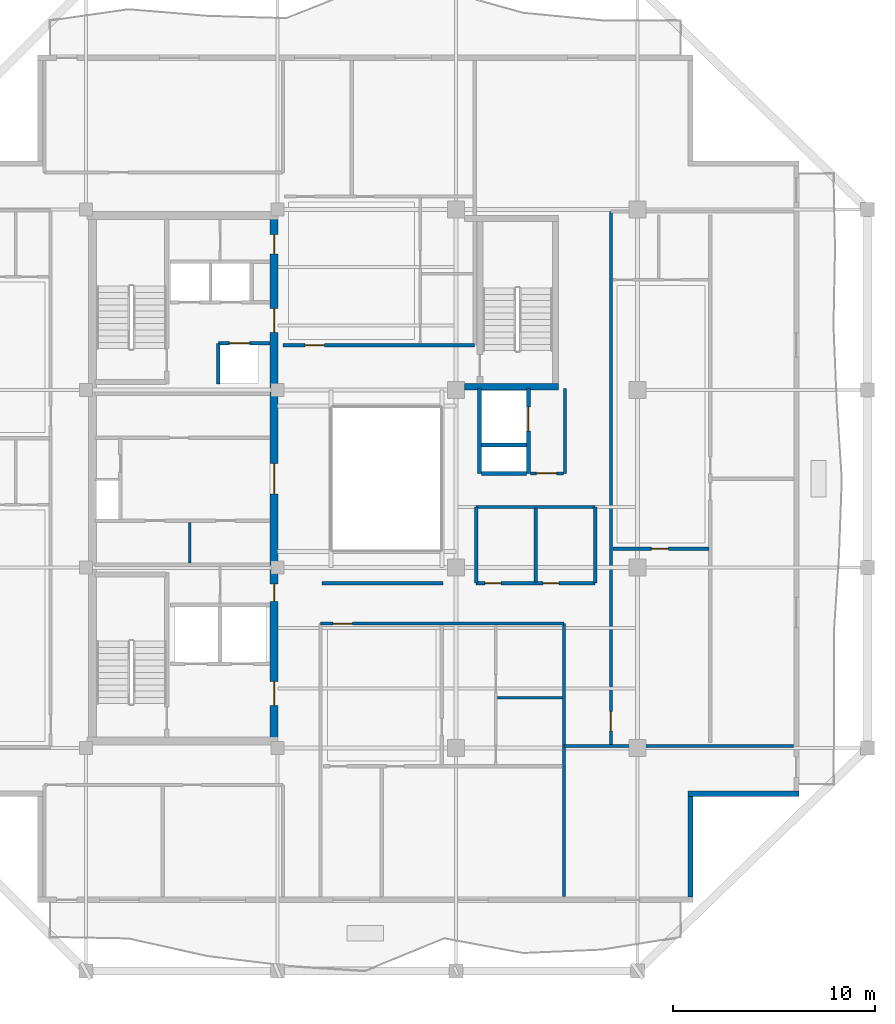
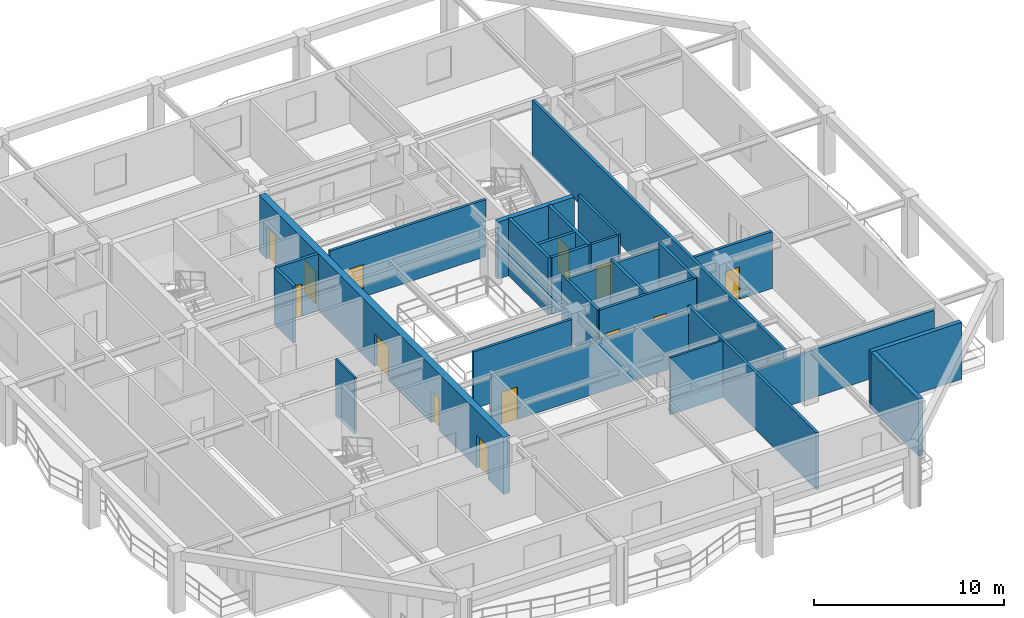
# One storey, part 4 of 11: 26 walls, 14 doors, 14 openings.
"""IFC4 building model written with IfcOpenShell, lengths in metres."""

from ifc_helpers import new_model, si_unit, direction, frame, frame_2d, origin, place, context, subcontext, project, spatial, rectangle, extrude, material, layer, layer_set, type_object, element, fill, save


model = new_model("IFC4")

# Units and contexts
model_context = context("Model", 3, precision=1e-05, world=origin(), true_north=direction((0.0, 1.0)))
body_context = subcontext(model_context, "Body", "Model", "MODEL_VIEW")
ifc_project = project(units=[si_unit("LENGTHUNIT", "METRE"), si_unit("AREAUNIT", "SQUARE_METRE"), si_unit("VOLUMEUNIT", "CUBIC_METRE"), si_unit("PLANEANGLEUNIT", "RADIAN"), si_unit("MASSUNIT", "GRAM", prefix="KILO")], contexts=[model_context])

# Site, building, storey
site_placement = place(None, origin())
site = spatial("IfcSite", under=ifc_project, at=site_placement, CompositionType="ELEMENT")
building_placement = place(site_placement, origin())
building = spatial("IfcBuilding", under=site, at=building_placement, Name="Kundavana Baori Tower", CompositionType="ELEMENT")
storey_placement = place(building_placement, frame((0.0, 0.0, 249.199951171875)))
storey = spatial("IfcBuildingStorey", under=building, at=storey_placement, Name="L61", CompositionType="ELEMENT", Elevation=249.199951171875)

# Wall, openings, doors
ifc_material_1 = material(Name="Concrete C50/60", Category="concrete")
ifc_layer_1 = layer(ifc_material_1, 0.39990234375, Name="WL-CORE-400")
ifc_layer_set_1 = layer_set([ifc_layer_1], Name="Concrete C50/60")
wall_type_1 = type_object("IfcWallType", Name="WL-CORE-400", PredefinedType="SHEAR", material=ifc_layer_set_1)
wall_1_placement = place(storey_placement, frame((24.780029296875, 15.739990234375, 0.0), z_axis=(0.0, 0.0, 1.0), x_axis=(0.0, 1.0, 0.0)))
wall_1 = element("IfcWall", 1, at=wall_1_placement, inside=storey, type_object=wall_type_1, Name="L61 Offset Core East Shear Wall", PredefinedType="SHEAR", context=body_context, shape_type="SweptSolid", body=[
    extrude(rectangle(XDim=25.760009765625, YDim=0.39990234375, at=frame_2d((12.8798828125, 0.0))), origin(), (0.0, 0.0, 1.0), 3.66015625),
])
opening_1_placement = place(wall_1_placement, frame((1.610107421875, 0.0, 0.0)))
opening_1 = element("IfcOpeningElement", 2, at=opening_1_placement, cuts=wall_1, Name="Opening FD-120", PredefinedType="OPENING", context=body_context, shape_type="SweptSolid", body=[
    extrude(rectangle(XDim=1.199951171875, YDim=2.10009765625, at=frame_2d((0.60009765625, 1.050048828125))), frame((0.0, 0.2099609375, 0.0), z_axis=(0.0, -1.0, 0.0), x_axis=(1.0, 0.0, 0.0)), (0.0, 0.0, 1.0), 0.419921875),
])
opening_2_placement = place(wall_1_placement, frame((6.780029296875, 0.0, 0.0)))
opening_2 = element("IfcOpeningElement", 3, at=opening_2_placement, cuts=wall_1, Name="Opening FD-085", PredefinedType="OPENING", context=body_context, shape_type="SweptSolid", body=[
    extrude(rectangle(XDim=0.85009765625, YDim=2.06005859375, at=frame_2d((0.425048828125, 1.030029296875))), frame((0.0, 0.2099609375, 0.0), z_axis=(0.0, -1.0, 0.0), x_axis=(1.0, 0.0, 0.0)), (0.0, 0.0, 1.0), 0.419921875),
])
opening_3_placement = place(wall_1_placement, frame((12.110107421875, 0.0, 0.0)))
opening_3 = element("IfcOpeningElement", 4, at=opening_3_placement, cuts=wall_1, Name="Opening FD-150", PredefinedType="OPENING", context=body_context, shape_type="SweptSolid", body=[
    extrude(rectangle(XDim=1.5, YDim=2.1201171875, at=frame_2d((0.75, 1.06005859375))), frame((0.0, 0.2099609375, 0.0), z_axis=(0.0, -1.0, 0.0), x_axis=(1.0, 0.0, 0.0)), (0.0, 0.0, 1.0), 0.419921875),
])
opening_4_placement = place(wall_1_placement, frame((20.110107421875, 0.0, 0.0)))
opening_4 = element("IfcOpeningElement", 5, at=opening_4_placement, cuts=wall_1, Name="Opening FD-122", PredefinedType="OPENING", context=body_context, shape_type="SweptSolid", body=[
    extrude(rectangle(XDim=1.199951171875, YDim=2.1201171875, at=frame_2d((0.60009765625, 1.06005859375))), frame((0.0, 0.2099609375, 0.0), z_axis=(0.0, -1.0, 0.0), x_axis=(1.0, 0.0, 0.0)), (0.0, 0.0, 1.0), 0.419921875),
])
opening_5_placement = place(wall_1_placement, frame((24.010009765625, 0.0, 0.0)))
opening_5 = element("IfcOpeningElement", 6, at=opening_5_placement, cuts=wall_1, Name="Opening FD-095", PredefinedType="OPENING", context=body_context, shape_type="SweptSolid", body=[
    extrude(rectangle(XDim=0.949951171875, YDim=2.10009765625, at=frame_2d((0.47509765625, 1.050048828125))), frame((0.0, 0.2099609375, 0.0), z_axis=(0.0, -1.0, 0.0), x_axis=(1.0, 0.0, 0.0)), (0.0, 0.0, 1.0), 0.419921875),
])
ifc_material_2 = material(Name="Galvanised Steel Fire-Rated Door Leaf", Category="steel")
door_type_1 = type_object("IfcDoorType", Name="DR-FD120-1200", OperationType="NOTDEFINED", PredefinedType="DOOR", material=ifc_material_2)
door_1_placement = place(opening_1_placement, frame((1.199951171875, 0.0, 0.0), z_axis=(0.0, 0.0, 1.0), x_axis=(-1.0, 0.0, 0.0)))
door_1 = element("IfcDoor", 7, at=door_1_placement, inside=storey, type_object=door_type_1, Name="DR-L61-FFLOB-E", OperationType="SINGLE_SWING_RIGHT", OverallHeight=2.10009765625, OverallWidth=1.199951171875, PredefinedType="DOOR", context=body_context, shape_type="SweptSolid", body=[
    extrude(rectangle(XDim=1.199951171875, YDim=2.10009765625, at=frame_2d((0.60009765625, 1.050048828125))), frame((0.0, 0.02490234375, 0.0), z_axis=(0.0, -1.0, 0.0), x_axis=(1.0, 0.0, 0.0)), (0.0, 0.0, 1.0), 0.050048828125),
])
fill(opening_1, door_1)
ifc_material_3 = material(Name="Galvanised Steel Fire-Rated Door Leaf", Category="steel")
door_type_2 = type_object("IfcDoorType", Name="DR-FD60-1200", OperationType="NOTDEFINED", PredefinedType="DOOR", material=ifc_material_3)
door_2_placement = place(opening_4_placement, frame((1.199951171875, 0.0, 0.0), z_axis=(0.0, 0.0, 1.0), x_axis=(-1.0, 0.0, 0.0)))
door_2 = element("IfcDoor", 8, at=door_2_placement, inside=storey, type_object=door_type_2, Name="DR-L61-HRLOB-E", OperationType="SINGLE_SWING_RIGHT", OverallHeight=2.1201171875, OverallWidth=1.199951171875, PredefinedType="DOOR", context=body_context, shape_type="SweptSolid", body=[
    extrude(rectangle(XDim=1.199951171875, YDim=2.1201171875, at=frame_2d((0.60009765625, 1.06005859375))), frame((0.0, 0.02490234375, 0.0), z_axis=(0.0, -1.0, 0.0), x_axis=(1.0, 0.0, 0.0)), (0.0, 0.0, 1.0), 0.050048828125),
])
fill(opening_4, door_2)
ifc_material_4 = material(Name="Galvanised Steel Fire-Rated Door Leaf", Category="steel")
door_type_3 = type_object("IfcDoorType", Name="DR-FD60-1500", OperationType="NOTDEFINED", PredefinedType="DOOR", material=ifc_material_4)
door_3_placement = place(opening_3_placement, frame((1.5, 0.0, 0.0), z_axis=(0.0, 0.0, 1.0), x_axis=(-1.0, 0.0, 0.0)))
door_3 = element("IfcDoor", 9, at=door_3_placement, inside=storey, type_object=door_type_3, Name="DR-L61-LIFTHALL-E", OperationType="SINGLE_SWING_LEFT", OverallHeight=2.1201171875, OverallWidth=1.5, PredefinedType="DOOR", context=body_context, shape_type="SweptSolid", body=[
    extrude(rectangle(XDim=1.5, YDim=2.1201171875, at=frame_2d((0.75, 1.06005859375))), frame((0.0, 0.02490234375, 0.0), z_axis=(0.0, -1.0, 0.0), x_axis=(1.0, 0.0, 0.0)), (0.0, 0.0, 1.0), 0.050048828125),
])
fill(opening_3, door_3)
ifc_material_5 = material(Name="Galvanised Steel Fire-Rated Door Leaf", Category="steel")
door_type_4 = type_object("IfcDoorType", Name="DR-FD60-850", OperationType="NOTDEFINED", PredefinedType="DOOR", material=ifc_material_5)
door_4_placement = place(opening_2_placement, frame((0.85009765625, 0.0, 0.0), z_axis=(0.0, 0.0, 1.0), x_axis=(-1.0, 0.0, 0.0)))
door_4 = element("IfcDoor", 10, at=door_4_placement, inside=storey, type_object=door_type_4, Name="DR-L61-CSMK2", OperationType="SINGLE_SWING_RIGHT", OverallHeight=2.06005859375, OverallWidth=0.85009765625, PredefinedType="DOOR", context=body_context, shape_type="SweptSolid", body=[
    extrude(rectangle(XDim=0.85009765625, YDim=2.06005859375, at=frame_2d((0.425048828125, 1.030029296875))), frame((0.0, 0.02490234375, 0.0), z_axis=(0.0, -1.0, 0.0), x_axis=(1.0, 0.0, 0.0)), (0.0, 0.0, 1.0), 0.050048828125),
])
fill(opening_2, door_4)
ifc_material_6 = material(Name="Engineered Teak Fire-Rated Timber Door Leaf", Category="wood")
door_type_5 = type_object("IfcDoorType", Name="DR-FD60-950", OperationType="NOTDEFINED", PredefinedType="DOOR", material=ifc_material_6)
door_5_placement = place(opening_5_placement, frame((0.949951171875, 0.0, 0.0), z_axis=(0.0, 0.0, 1.0), x_axis=(-1.0, 0.0, 0.0)))
door_5 = element("IfcDoor", 11, at=door_5_placement, inside=storey, type_object=door_type_5, Name="DR-L61-CSRV2", OperationType="SINGLE_SWING_RIGHT", OverallHeight=2.10009765625, OverallWidth=0.949951171875, PredefinedType="DOOR", context=body_context, shape_type="SweptSolid", body=[
    extrude(rectangle(XDim=0.949951171875, YDim=2.10009765625, at=frame_2d((0.47509765625, 1.050048828125))), frame((0.0, 0.02490234375, 0.0), z_axis=(0.0, -1.0, 0.0), x_axis=(1.0, 0.0, 0.0)), (0.0, 0.0, 1.0), 0.050048828125),
])
fill(opening_5, door_5)

# Walls
ifc_material_7 = material(Name="Kiln-Fired Terracotta Brick-Slip Masonry on Concrete C40/50", Category="masonry")
ifc_layer_2 = layer(ifc_material_7, 0.260009765625, Name="WL-EXT-BRK-260")
ifc_layer_set_2 = layer_set([ifc_layer_2], Name="Kiln-Fired Terracotta Brick-Slip Masonry on Concrete C40/50")
wall_type_2 = type_object("IfcWallType", Name="WL-EXT-BRK-260", PredefinedType="SOLIDWALL", material=ifc_layer_set_2)
wall_2_placement = place(storey_placement, frame((45.419921875, 7.860107421875, 0.0), z_axis=(0.0, 0.0, 1.0), x_axis=(0.0, 1.0, 0.0)))
element("IfcWall", 12, at=wall_2_placement, inside=storey, type_object=wall_type_2, Name="L61 Exterior Insulated Facade Wall 02", PredefinedType="SOLIDWALL", context=body_context, shape_type="SweptSolid", body=[
    extrude(rectangle(XDim=4.989990234375, YDim=0.260009765625, at=frame_2d((2.4951171875, 0.0))), origin(), (0.0, 0.0, 1.0), 3.66015625),
])
wall_3_placement = place(storey_placement, frame((45.2900390625, 12.97998046875, 0.0), z_axis=(0.0, 0.0, 1.0), x_axis=(1.0, 0.0, 0.0)))
element("IfcWall", 13, at=wall_3_placement, inside=storey, type_object=wall_type_2, Name="L61 Exterior Insulated Facade Wall 03", PredefinedType="SOLIDWALL", context=body_context, shape_type="SweptSolid", body=[
    extrude(rectangle(XDim=5.510009765625, YDim=0.260009765625, at=frame_2d((2.7548828125, 0.0))), origin(), (0.0, 0.0, 1.0), 3.66015625),
])
ifc_material_8 = material(Name="Acoustic Gypsum Plasterboard on Galvanised Steel Studs", Category="steel")
ifc_layer_3 = layer(ifc_material_8, 0.1201171875, Name="WL-PART-120")
ifc_layer_set_3 = layer_set([ifc_layer_3], Name="Acoustic Gypsum Plasterboard on Galvanised Steel Studs")
wall_type_3 = type_object("IfcWallType", Name="WL-PART-120", PredefinedType="PARTITIONING", material=ifc_layer_set_3)
wall_4_placement = place(storey_placement, frame((20.60009765625, 24.419921875, 0.0), z_axis=(0.0, 0.0, 1.0), x_axis=(0.0, 1.0, 0.0)))
element("IfcWall", 14, at=wall_4_placement, inside=storey, type_object=wall_type_3, Name="WL-L61-FRLOW-DIV", PredefinedType="PARTITIONING", context=body_context, shape_type="SweptSolid", body=[
    extrude(rectangle(XDim=2.02001953125, YDim=0.1201171875, at=frame_2d((1.010009765625, 0.0))), origin(), (0.0, 0.0, 1.0), 3.66015625),
])
ifc_material_9 = material(Name="Fire-Rated Gypsum Drywall on Galvanised Steel Studs", Category="steel")
ifc_layer_4 = layer(ifc_material_9, 0.14990234375, Name="WL-PART-150")
ifc_layer_set_4 = layer_set([ifc_layer_4], Name="Fire-Rated Gypsum Drywall on Galvanised Steel Studs")
wall_type_4 = type_object("IfcWallType", Name="WL-PART-150", PredefinedType="PARTITIONING", material=ifc_layer_set_4)
wall_5_placement = place(storey_placement, frame((39.199951171875, 28.860107421875, 0.0), z_axis=(0.0, 0.0, 1.0), x_axis=(0.0, 1.0, 0.0)))
element("IfcWall", 15, at=wall_5_placement, inside=storey, type_object=wall_type_4, Name="WL-L61-SVLOB-E", PredefinedType="PARTITIONING", context=body_context, shape_type="SweptSolid", body=[
    extrude(rectangle(XDim=4.219970703125, YDim=0.14990234375, at=frame_2d((2.10986328125, 0.0))), origin(), (0.0, 0.0, 1.0), 3.66015625),
])

# Wall, opening, door
wall_6_placement = place(storey_placement, frame((37.47998046875, 28.860107421875, 0.0), z_axis=(0.0, 0.0, 1.0), x_axis=(1.0, 0.0, 0.0)))
wall_6 = element("IfcWall", 16, at=wall_6_placement, inside=storey, type_object=wall_type_4, Name="WL-L61-SVLOB-S", PredefinedType="PARTITIONING", context=body_context, shape_type="SweptSolid", body=[
    extrude(rectangle(XDim=1.64013671875, YDim=0.14990234375, at=frame_2d((0.820068359375, 0.0))), origin(), (0.0, 0.0, 1.0), 3.66015625),
])
opening_6_placement = place(wall_6_placement, frame((0.300048828125, 0.0, 0.0)))
opening_6 = element("IfcOpeningElement", 17, at=opening_6_placement, cuts=wall_6, Name="Opening FD-100", PredefinedType="OPENING", context=body_context, shape_type="SweptSolid", body=[
    extrude(rectangle(XDim=1.0, YDim=2.10009765625, at=frame_2d((0.5, 1.050048828125))), frame((0.0, 0.0849609375, 0.0), z_axis=(0.0, -1.0, 0.0), x_axis=(1.0, 0.0, 0.0)), (0.0, 0.0, 1.0), 0.169921875),
])
ifc_material_10 = material(Name="Engineered Teak Fire-Rated Timber Door Leaf", Category="wood")
door_type_6 = type_object("IfcDoorType", Name="DR-FD60-1000", OperationType="NOTDEFINED", PredefinedType="DOOR", material=ifc_material_10)
door_6_placement = place(opening_6_placement, origin())
door_6 = element("IfcDoor", 18, at=door_6_placement, inside=storey, type_object=door_type_6, Name="DR-L61-SVLOB-OUT", OperationType="SINGLE_SWING_LEFT", OverallHeight=2.10009765625, OverallWidth=1.0, PredefinedType="DOOR", context=body_context, shape_type="SweptSolid", body=[
    extrude(rectangle(XDim=1.0, YDim=2.10009765625, at=frame_2d((0.5, 1.050048828125))), frame((0.0, 0.02490234375, 0.0), z_axis=(0.0, -1.0, 0.0), x_axis=(1.0, 0.0, 0.0)), (0.0, 0.0, 1.0), 0.050048828125),
])
fill(opening_6, door_6)

ifc_material_11 = material(Name="Fire-Rated Gypsum Drywall on Galvanised Steel Studs", Category="steel")
ifc_layer_5 = layer(ifc_material_11, 0.1650390625, Name="WL-PART-165")
ifc_layer_set_5 = layer_set([ifc_layer_5], Name="Fire-Rated Gypsum Drywall on Galvanised Steel Studs")
wall_type_5 = type_object("IfcWallType", Name="WL-PART-165", PredefinedType="PARTITIONING", material=ifc_layer_set_5)
wall_7_placement = place(storey_placement, frame((27.080078125, 21.419921875, 0.0), z_axis=(0.0, 0.0, 1.0), x_axis=(1.0, 0.0, 0.0)))
wall_7 = element("IfcWall", 19, at=wall_7_placement, inside=storey, type_object=wall_type_5, Name="WL-L61-RS", PredefinedType="PARTITIONING", context=body_context, shape_type="SweptSolid", body=[
    extrude(rectangle(XDim=12.06982421875, YDim=0.1650390625, at=frame_2d((6.034912109375, 0.0))), origin(), (0.0, 0.0, 1.0), 3.31005859375),
])
opening_7_placement = place(wall_7_placement, frame((0.6298828125, 0.0, 0.0)))
opening_7 = element("IfcOpeningElement", 20, at=opening_7_placement, cuts=wall_7, Name="Opening FD-095", PredefinedType="OPENING", context=body_context, shape_type="SweptSolid", body=[
    extrude(rectangle(XDim=0.949951171875, YDim=2.10009765625, at=frame_2d((0.47509765625, 1.050048828125))), frame((0.0, 0.092529296875, 0.0), z_axis=(0.0, -1.0, 0.0), x_axis=(1.0, 0.0, 0.0)), (0.0, 0.0, 1.0), 0.18505859375),
])
door_7_placement = place(opening_7_placement, frame((0.949951171875, 0.0, 0.0), z_axis=(0.0, 0.0, 1.0), x_axis=(-1.0, 0.0, 0.0)))
door_7 = element("IfcDoor", 21, at=door_7_placement, inside=storey, type_object=door_type_5, Name="DR-L61-S1-ENT", OperationType="SINGLE_SWING_RIGHT", OverallHeight=2.10009765625, OverallWidth=0.949951171875, PredefinedType="DOOR", context=body_context, shape_type="SweptSolid", body=[
    extrude(rectangle(XDim=0.949951171875, YDim=2.10009765625, at=frame_2d((0.47509765625, 1.050048828125))), frame((0.0, 0.02490234375, 0.0), z_axis=(0.0, -1.0, 0.0), x_axis=(1.0, 0.0, 0.0)), (0.0, 0.0, 1.0), 0.050048828125),
])
fill(opening_7, door_7)

# Wall
wall_8_placement = place(storey_placement, frame((27.14990234375, 23.419921875, 0.0), z_axis=(0.0, 0.0, 1.0), x_axis=(1.0, 0.0, 0.0)))
element("IfcWall", 22, at=wall_8_placement, inside=storey, type_object=wall_type_5, Name="WL-L61-RST", PredefinedType="PARTITIONING", context=body_context, shape_type="SweptSolid", body=[
    extrude(rectangle(XDim=6.0, YDim=0.1650390625, at=frame_2d((3.0, 0.0))), origin(), (0.0, 0.0, 1.0), 3.66015625),
])

# Wall, opening, door
wall_9_placement = place(storey_placement, frame((25.219970703125, 35.219970703125, 0.0), z_axis=(0.0, 0.0, 1.0), x_axis=(1.0, 0.0, 0.0)))
wall_9 = element("IfcWall", 23, at=wall_9_placement, inside=storey, type_object=wall_type_5, Name="WL-L61-RN", PredefinedType="PARTITIONING", context=body_context, shape_type="SweptSolid", body=[
    extrude(rectangle(XDim=9.5, YDim=0.1650390625, at=frame_2d((4.75, 0.0))), origin(), (0.0, 0.0, 1.0), 3.66015625),
])
opening_8_placement = place(wall_9_placement, frame((1.10009765625, 0.0, 0.0)))
opening_8 = element("IfcOpeningElement", 24, at=opening_8_placement, cuts=wall_9, Name="Opening FD-095", PredefinedType="OPENING", context=body_context, shape_type="SweptSolid", body=[
    extrude(rectangle(XDim=0.949951171875, YDim=2.10009765625, at=frame_2d((0.47509765625, 1.050048828125))), frame((0.0, 0.092529296875, 0.0), z_axis=(0.0, -1.0, 0.0), x_axis=(1.0, 0.0, 0.0)), (0.0, 0.0, 1.0), 0.18505859375),
])
door_8_placement = place(opening_8_placement, origin())
door_8 = element("IfcDoor", 25, at=door_8_placement, inside=storey, type_object=door_type_5, Name="DR-L61-N1-ENT", OperationType="SINGLE_SWING_LEFT", OverallHeight=2.10009765625, OverallWidth=0.949951171875, PredefinedType="DOOR", context=body_context, shape_type="SweptSolid", body=[
    extrude(rectangle(XDim=0.949951171875, YDim=2.10009765625, at=frame_2d((0.47509765625, 1.050048828125))), frame((0.0, 0.02490234375, 0.0), z_axis=(0.0, -1.0, 0.0), x_axis=(1.0, 0.0, 0.0)), (0.0, 0.0, 1.0), 0.050048828125),
])
fill(opening_8, door_8)

# Wall
wall_10_placement = place(storey_placement, frame((39.14990234375, 7.8798828125, 0.0), z_axis=(0.0, 0.0, 1.0), x_axis=(0.0, 1.0, 0.0)))
element("IfcWall", 26, at=wall_10_placement, inside=storey, type_object=wall_type_5, Name="WL-L61-RSEND", PredefinedType="PARTITIONING", context=body_context, shape_type="SweptSolid", body=[
    extrude(rectangle(XDim=13.5400390625, YDim=0.1650390625, at=frame_2d((6.77001953125, 0.0))), origin(), (0.0, 0.0, 1.0), 3.66015625),
])

# Wall, opening, door
wall_11_placement = place(storey_placement, frame((41.47998046875, 15.35009765625, 0.0), z_axis=(0.0, 0.0, 1.0), x_axis=(0.0, 1.0, 0.0)))
wall_11 = element("IfcWall", 27, at=wall_11_placement, inside=storey, type_object=wall_type_5, Name="WL-L61-RE", PredefinedType="PARTITIONING", context=body_context, shape_type="SweptSolid", body=[
    extrude(rectangle(XDim=26.5, YDim=0.1650390625, at=frame_2d((13.25, 0.0))), origin(), (0.0, 0.0, 1.0), 3.66015625),
])
opening_9_placement = place(wall_11_placement, frame((0.75, 0.0, 0.0)))
opening_9 = element("IfcOpeningElement", 28, at=opening_9_placement, cuts=wall_11, Name="Opening FD-095", PredefinedType="OPENING", context=body_context, shape_type="SweptSolid", body=[
    extrude(rectangle(XDim=0.949951171875, YDim=2.10009765625, at=frame_2d((0.47509765625, 1.050048828125))), frame((0.0, 0.092529296875, 0.0), z_axis=(0.0, -1.0, 0.0), x_axis=(1.0, 0.0, 0.0)), (0.0, 0.0, 1.0), 0.18505859375),
])
door_9_placement = place(opening_9_placement, origin())
door_9 = element("IfcDoor", 29, at=door_9_placement, inside=storey, type_object=door_type_5, Name="DR-L61-E1-ENT", OperationType="SINGLE_SWING_LEFT", OverallHeight=2.10009765625, OverallWidth=0.949951171875, PredefinedType="DOOR", context=body_context, shape_type="SweptSolid", body=[
    extrude(rectangle(XDim=0.949951171875, YDim=2.10009765625, at=frame_2d((0.47509765625, 1.050048828125))), frame((0.0, 0.02490234375, 0.0), z_axis=(0.0, -1.0, 0.0), x_axis=(1.0, 0.0, 0.0)), (0.0, 0.0, 1.0), 0.050048828125),
])
fill(opening_9, door_9)

# Wall
wall_12_placement = place(storey_placement, frame((39.14990234375, 15.35009765625, 0.0), z_axis=(0.0, 0.0, 1.0), x_axis=(1.0, 0.0, 0.0)))
element("IfcWall", 30, at=wall_12_placement, inside=storey, type_object=wall_type_5, Name="WL-L61-RES", PredefinedType="PARTITIONING", context=body_context, shape_type="SweptSolid", body=[
    extrude(rectangle(XDim=11.3701171875, YDim=0.1650390625, at=frame_2d((5.68505859375, 0.0))), origin(), (0.0, 0.0, 1.0), 3.06005859375),
])

# Wall, opening, door
wall_13_placement = place(storey_placement, frame((41.580078125, 25.131103515625, 0.0), z_axis=(0.0, 0.0, 1.0), x_axis=(1.0, 0.0, 0.0)))
wall_13 = element("IfcWall", 31, at=wall_13_placement, inside=storey, type_object=wall_type_5, Name="WL-L61-E1-STH", PredefinedType="PARTITIONING", context=body_context, shape_type="SweptSolid", body=[
    extrude(rectangle(XDim=4.747802734375, YDim=0.1650390625, at=frame_2d((2.3740234375, 0.0))), origin(), (0.0, 0.0, 1.0), 3.66015625),
])
opening_10_placement = place(wall_13_placement, frame((1.89990234375, 0.0, 0.0)))
opening_10 = element("IfcOpeningElement", 32, at=opening_10_placement, cuts=wall_13, Name="Opening ID-085", PredefinedType="OPENING", context=body_context, shape_type="SweptSolid", body=[
    extrude(rectangle(XDim=0.85009765625, YDim=2.080078125, at=frame_2d((0.425048828125, 1.0400390625))), frame((0.0, 0.092529296875, 0.0), z_axis=(0.0, -1.0, 0.0), x_axis=(1.0, 0.0, 0.0)), (0.0, 0.0, 1.0), 0.18505859375),
])
ifc_material_12 = material(Name="Engineered Teak Solid-Core Timber Veneer", Category="wood")
door_type_7 = type_object("IfcDoorType", Name="DR-INT-850", OperationType="NOTDEFINED", PredefinedType="DOOR", material=ifc_material_12)
door_10_placement = place(opening_10_placement, frame((0.85009765625, 0.0, 0.0), z_axis=(0.0, 0.0, 1.0), x_axis=(-1.0, 0.0, 0.0)))
door_10 = element("IfcDoor", 33, at=door_10_placement, inside=storey, type_object=door_type_7, Name="DR-L61-E1-STD", OperationType="SINGLE_SWING_LEFT", OverallHeight=2.080078125, OverallWidth=0.85009765625, PredefinedType="DOOR", context=body_context, shape_type="SweptSolid", body=[
    extrude(rectangle(XDim=0.85009765625, YDim=2.080078125, at=frame_2d((0.425048828125, 1.0400390625))), frame((0.0, 0.02490234375, 0.0), z_axis=(0.0, -1.0, 0.0), x_axis=(1.0, 0.0, 0.0)), (0.0, 0.0, 1.0), 0.050048828125),
])
fill(opening_10, door_10)

# Wall, openings, doors
wall_14_placement = place(storey_placement, frame((34.800048828125, 23.419921875, 0.0), z_axis=(0.0, 0.0, 1.0), x_axis=(1.0, 0.0, 0.0)))
wall_14 = element("IfcWall", 34, at=wall_14_placement, inside=storey, type_object=wall_type_5, Name="WL-L61-ALS", PredefinedType="PARTITIONING", context=body_context, shape_type="SweptSolid", body=[
    extrude(rectangle(XDim=5.89990234375, YDim=0.1650390625, at=frame_2d((2.949951171875, 0.0))), origin(), (0.0, 0.0, 1.0), 3.66015625),
])
opening_11_placement = place(wall_14_placement, frame((0.429931640625, 0.0, 0.0)))
opening_11 = element("IfcOpeningElement", 35, at=opening_11_placement, cuts=wall_14, Name="Opening WD-080", PredefinedType="OPENING", context=body_context, shape_type="SweptSolid", body=[
    extrude(rectangle(XDim=0.800048828125, YDim=2.050048828125, at=frame_2d((0.39990234375, 1.02490234375))), frame((0.0, 0.092529296875, 0.0), z_axis=(0.0, -1.0, 0.0), x_axis=(1.0, 0.0, 0.0)), (0.0, 0.0, 1.0), 0.18505859375),
])
opening_12_placement = place(wall_14_placement, frame((3.300048828125, 0.0, 0.0)))
opening_12 = element("IfcOpeningElement", 36, at=opening_12_placement, cuts=wall_14, Name="Opening WD-080", PredefinedType="OPENING", context=body_context, shape_type="SweptSolid", body=[
    extrude(rectangle(XDim=0.800048828125, YDim=2.050048828125, at=frame_2d((0.39990234375, 1.02490234375))), frame((0.0, 0.092529296875, 0.0), z_axis=(0.0, -1.0, 0.0), x_axis=(1.0, 0.0, 0.0)), (0.0, 0.0, 1.0), 0.18505859375),
])
ifc_material_13 = material(Name="Engineered Teak Solid-Core Timber Veneer", Category="wood")
door_type_8 = type_object("IfcDoorType", Name="DR-WET-800", OperationType="NOTDEFINED", PredefinedType="DOOR", material=ifc_material_13)
door_11_placement = place(opening_11_placement, origin())
door_11 = element("IfcDoor", 37, at=door_11_placement, inside=storey, type_object=door_type_8, Name="DR-L61-RALC1", OperationType="SINGLE_SWING_LEFT", OverallHeight=2.050048828125, OverallWidth=0.800048828125, PredefinedType="DOOR", context=body_context, shape_type="SweptSolid", body=[
    extrude(rectangle(XDim=0.800048828125, YDim=2.050048828125, at=frame_2d((0.39990234375, 1.02490234375))), frame((0.0, 0.02490234375, 0.0), z_axis=(0.0, -1.0, 0.0), x_axis=(1.0, 0.0, 0.0)), (0.0, 0.0, 1.0), 0.050048828125),
])
fill(opening_11, door_11)
door_12_placement = place(opening_12_placement, origin())
door_12 = element("IfcDoor", 38, at=door_12_placement, inside=storey, type_object=door_type_8, Name="DR-L61-RALC2", OperationType="SINGLE_SWING_LEFT", OverallHeight=2.050048828125, OverallWidth=0.800048828125, PredefinedType="DOOR", context=body_context, shape_type="SweptSolid", body=[
    extrude(rectangle(XDim=0.800048828125, YDim=2.050048828125, at=frame_2d((0.39990234375, 1.02490234375))), frame((0.0, 0.02490234375, 0.0), z_axis=(0.0, -1.0, 0.0), x_axis=(1.0, 0.0, 0.0)), (0.0, 0.0, 1.0), 0.050048828125),
])
fill(opening_12, door_12)

# Walls
wall_15_placement = place(storey_placement, frame((34.800048828125, 27.199951171875, 0.0), z_axis=(0.0, 0.0, 1.0), x_axis=(1.0, 0.0, 0.0)))
element("IfcWall", 39, at=wall_15_placement, inside=storey, type_object=wall_type_5, Name="WL-L61-ALN", PredefinedType="PARTITIONING", context=body_context, shape_type="SweptSolid", body=[
    extrude(rectangle(XDim=5.89990234375, YDim=0.1650390625, at=frame_2d((2.949951171875, 0.0))), origin(), (0.0, 0.0, 1.0), 3.31005859375),
])
for number, where, z_axis, x_axis, name in (
    (40, (34.800048828125, 23.419921875, 0.0), (0.0, 0.0, 1.0), (0.0, 1.0, 0.0), "WL-L61-ALW"),
    (41, (40.699951171875, 23.419921875, 0.0), (0.0, 0.0, 1.0), (0.0, 1.0, 0.0), "WL-L61-ALE"),
):
    element("IfcWall", number, at=place(storey_placement, frame(where, z_axis=z_axis, x_axis=x_axis)), inside=storey, type_object=wall_type_5, Name=name, PredefinedType="PARTITIONING", context=body_context, shape_type="SweptSolid", body=[
        extrude(rectangle(XDim=3.780029296875, YDim=0.1650390625, at=frame_2d((1.89013671875, 0.0))), origin(), (0.0, 0.0, 1.0), 3.66015625),
    ])
wall_16_placement = place(storey_placement, frame((37.75, 23.47998046875, 0.0), z_axis=(0.0, 0.0, 1.0), x_axis=(0.0, 1.0, 0.0)))
element("IfcWall", 42, at=wall_16_placement, inside=storey, type_object=wall_type_5, Name="WL-L61-ALD1", PredefinedType="PARTITIONING", context=body_context, shape_type="SweptSolid", body=[
    extrude(rectangle(XDim=3.659912109375, YDim=0.1650390625, at=frame_2d((1.830078125, 0.0))), origin(), (0.0, 0.0, 1.0), 3.66015625),
])

# Wall, opening, door
ifc_material_14 = material(Name="Autoclaved Aerated Concrete Blockwork Masonry", Category="masonry")
ifc_layer_6 = layer(ifc_material_14, 0.179931640625, Name="WL-SHAFT-180")
ifc_layer_set_6 = layer_set([ifc_layer_6], Name="Autoclaved Aerated Concrete Blockwork Masonry")
wall_type_6 = type_object("IfcWallType", Name="WL-SHAFT-180", PredefinedType="SOLIDWALL", material=ifc_layer_set_6)
wall_17_placement = place(storey_placement, frame((22.02001953125, 35.31005859375, 0.0), z_axis=(0.0, 0.0, 1.0), x_axis=(1.0, 0.0, 0.0)))
wall_17 = element("IfcWall", 43, at=wall_17_placement, inside=storey, type_object=wall_type_6, Name="WL-L61-LP11-N", PredefinedType="SOLIDWALL", context=body_context, shape_type="SweptSolid", body=[
    extrude(rectangle(XDim=2.56005859375, YDim=0.179931640625, at=frame_2d((1.280029296875, 0.0))), origin(), (0.0, 0.0, 1.0), 3.66015625),
])
opening_13_placement = place(wall_17_placement, frame((0.550048828125, 0.0, 0.0)))
opening_13 = element("IfcOpeningElement", 44, at=opening_13_placement, cuts=wall_17, Name="Opening LD-100", PredefinedType="OPENING", context=body_context, shape_type="SweptSolid", body=[
    extrude(rectangle(XDim=1.0, YDim=2.10009765625, at=frame_2d((0.5, 1.050048828125))), frame((0.0, 0.10009765625, 0.0), z_axis=(0.0, -1.0, 0.0), x_axis=(1.0, 0.0, 0.0)), (0.0, 0.0, 1.0), 0.199951171875),
])
ifc_material_15 = material(Name="Galvanised Steel Fire-Rated Door Leaf", Category="steel")
door_type_9 = type_object("IfcDoorType", Name="DR-SLIDE-LD1000", OperationType="NOTDEFINED", PredefinedType="DOOR", material=ifc_material_15)
door_13_placement = place(opening_13_placement, origin())
door_13 = element("IfcDoor", 45, at=door_13_placement, inside=storey, type_object=door_type_9, Name="DR-L61-LD-LP11", OperationType="DOUBLE_DOOR_SLIDING", OverallHeight=2.10009765625, OverallWidth=1.0, PredefinedType="DOOR", context=body_context, shape_type="SweptSolid", body=[
    extrude(rectangle(XDim=1.0, YDim=2.10009765625, at=frame_2d((0.5, 1.050048828125))), frame((0.0, 0.02490234375, 0.0), z_axis=(0.0, -1.0, 0.0), x_axis=(1.0, 0.0, 0.0)), (0.0, 0.0, 1.0), 0.050048828125),
])
fill(opening_13, door_13)

# Walls
wall_18_placement = place(storey_placement, frame((22.02001953125, 33.300048828125, 0.0), z_axis=(0.0, 0.0, 1.0), x_axis=(0.0, 1.0, 0.0)))
element("IfcWall", 46, at=wall_18_placement, inside=storey, type_object=wall_type_6, Name="WL-L61-LP11-W", PredefinedType="SOLIDWALL", context=body_context, shape_type="SweptSolid", body=[
    extrude(rectangle(XDim=2.010009765625, YDim=0.179931640625, at=frame_2d((1.0048828125, 0.0))), origin(), (0.0, 0.0, 1.0), 3.66015625),
])
wall_19_placement = place(storey_placement, frame((34.9599609375, 28.860107421875, 0.0), z_axis=(0.0, 0.0, 1.0), x_axis=(0.0, 1.0, 0.0)))
element("IfcWall", 47, at=wall_19_placement, inside=storey, type_object=wall_type_6, Name="WL-L61-SVL-W", PredefinedType="SOLIDWALL", context=body_context, shape_type="SweptSolid", body=[
    extrude(rectangle(XDim=4.219970703125, YDim=0.179931640625, at=frame_2d((2.10986328125, 0.0))), origin(), (0.0, 0.0, 1.0), 3.66015625),
])

# Wall, opening, door
wall_20_placement = place(storey_placement, frame((37.389892578125, 28.860107421875, 0.0), z_axis=(0.0, 0.0, 1.0), x_axis=(0.0, 1.0, 0.0)))
wall_20 = element("IfcWall", 48, at=wall_20_placement, inside=storey, type_object=wall_type_6, Name="WL-L61-SVL-E", PredefinedType="SOLIDWALL", context=body_context, shape_type="SweptSolid", body=[
    extrude(rectangle(XDim=4.219970703125, YDim=0.179931640625, at=frame_2d((2.10986328125, 0.0))), origin(), (0.0, 0.0, 1.0), 3.66015625),
])
opening_14_placement = place(wall_20_placement, frame((2.10009765625, 0.0, 0.0)))
opening_14 = element("IfcOpeningElement", 49, at=opening_14_placement, cuts=wall_20, Name="Opening LD-120", PredefinedType="OPENING", context=body_context, shape_type="SweptSolid", body=[
    extrude(rectangle(XDim=1.199951171875, YDim=2.1201171875, at=frame_2d((0.60009765625, 1.06005859375))), frame((0.0, 0.10009765625, 0.0), z_axis=(0.0, -1.0, 0.0), x_axis=(1.0, 0.0, 0.0)), (0.0, 0.0, 1.0), 0.199951171875),
])
ifc_material_16 = material(Name="Galvanised Steel Fire-Rated Door Leaf", Category="steel")
door_type_10 = type_object("IfcDoorType", Name="DR-SLIDE-LD1200", OperationType="NOTDEFINED", PredefinedType="DOOR", material=ifc_material_16)
door_14_placement = place(opening_14_placement, frame((1.199951171875, 0.0, 0.0), z_axis=(0.0, 0.0, 1.0), x_axis=(-1.0, 0.0, 0.0)))
door_14 = element("IfcDoor", 50, at=door_14_placement, inside=storey, type_object=door_type_10, Name="DR-L61-LD-SVL1", OperationType="DOUBLE_DOOR_SLIDING", OverallHeight=2.1201171875, OverallWidth=1.199951171875, PredefinedType="DOOR", context=body_context, shape_type="SweptSolid", body=[
    extrude(rectangle(XDim=1.199951171875, YDim=2.1201171875, at=frame_2d((0.60009765625, 1.06005859375))), frame((0.0, 0.02490234375, 0.0), z_axis=(0.0, -1.0, 0.0), x_axis=(1.0, 0.0, 0.0)), (0.0, 0.0, 1.0), 0.050048828125),
])
fill(opening_14, door_14)

# Walls
for number, where, z_axis, x_axis, name in (
    (51, (35.050048828125, 28.860107421875, 0.0), (0.0, 0.0, 1.0), (1.0, 0.0, 0.0), "WL-L61-SVL-S"),
    (52, (35.050048828125, 30.27001953125, 0.0), (0.0, 0.0, 1.0), (1.0, 0.0, 0.0), "WL-L61-SVL-M"),
):
    element("IfcWall", number, at=place(storey_placement, frame(where, z_axis=z_axis, x_axis=x_axis)), inside=storey, type_object=wall_type_6, Name=name, PredefinedType="SOLIDWALL", context=body_context, shape_type="SweptSolid", body=[
        extrude(rectangle(XDim=2.25, YDim=0.179931640625, at=frame_2d((1.125, 0.0))), origin(), (0.0, 0.0, 1.0), 3.66015625),
    ])
ifc_material_17 = material(Name="Concrete C50/60", Category="concrete")
ifc_layer_7 = layer(ifc_material_17, 0.300048828125, Name="WL-ST3-300")
ifc_layer_set_7 = layer_set([ifc_layer_7], Name="Concrete C50/60")
wall_type_7 = type_object("IfcWallType", Name="WL-ST3-300", PredefinedType="SHEAR", material=ifc_layer_set_7)
wall_21_placement = place(storey_placement, frame((34.22509765625, 33.159912109375, 0.0), z_axis=(0.0, 0.0, 1.0), x_axis=(1.0, 0.0, 0.0)))
element("IfcWall", 53, at=wall_21_placement, inside=storey, type_object=wall_type_7, Name="L61 Stair ST3 South Shear Wall", PredefinedType="SHEAR", context=body_context, shape_type="SweptSolid", body=[
    extrude(rectangle(XDim=4.64501953125, YDim=0.300048828125, at=frame_2d((2.322509765625, 0.0))), origin(), (0.0, 0.0, 1.0), 3.66015625),
])
ifc_material_18 = material(Name="Autoclaved Aerated Concrete Blockwork Masonry", Category="masonry")
ifc_layer_8 = layer(ifc_material_18, 0.125, Name="WL-WET-120")
ifc_layer_set_8 = layer_set([ifc_layer_8], Name="Autoclaved Aerated Concrete Blockwork Masonry")
wall_type_8 = type_object("IfcWallType", Name="WL-WET-120", PredefinedType="PLUMBINGWALL", material=ifc_layer_set_8)
wall_22_placement = place(storey_placement, frame((35.85009765625, 17.741943359375, 0.0), z_axis=(0.0, 0.0, 1.0), x_axis=(1.0, 0.0, 0.0)))
element("IfcWall", 54, at=wall_22_placement, inside=storey, type_object=wall_type_8, Name="WL-L61-S1-BT", PredefinedType="PLUMBINGWALL", context=body_context, shape_type="SweptSolid", body=[
    extrude(rectangle(XDim=3.219970703125, YDim=0.125, at=frame_2d((1.60986328125, 0.0))), origin(), (0.0, 0.0, 1.0), 3.66015625),
])

save(model, "model.ifc")
